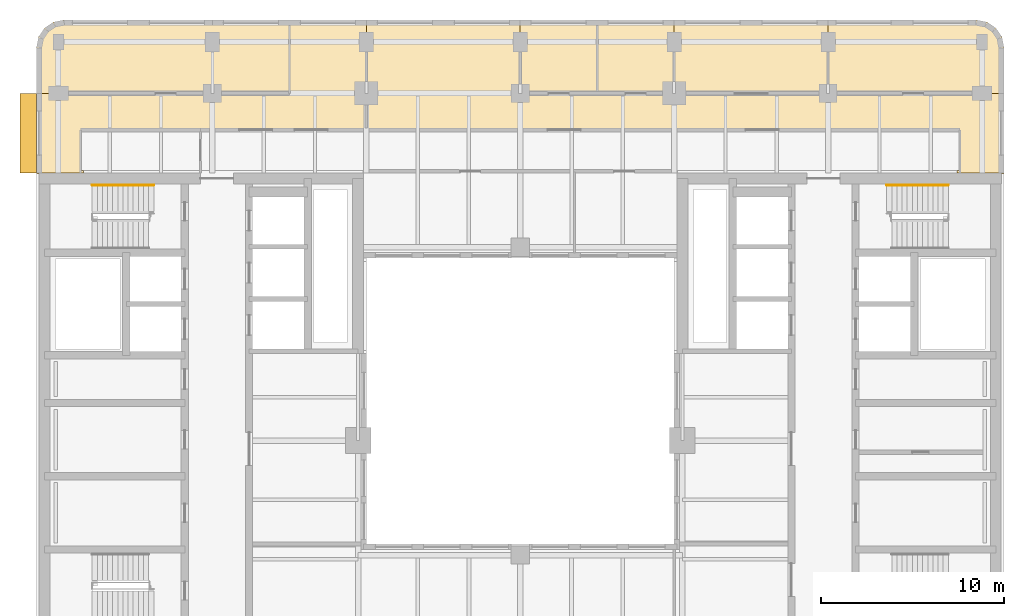
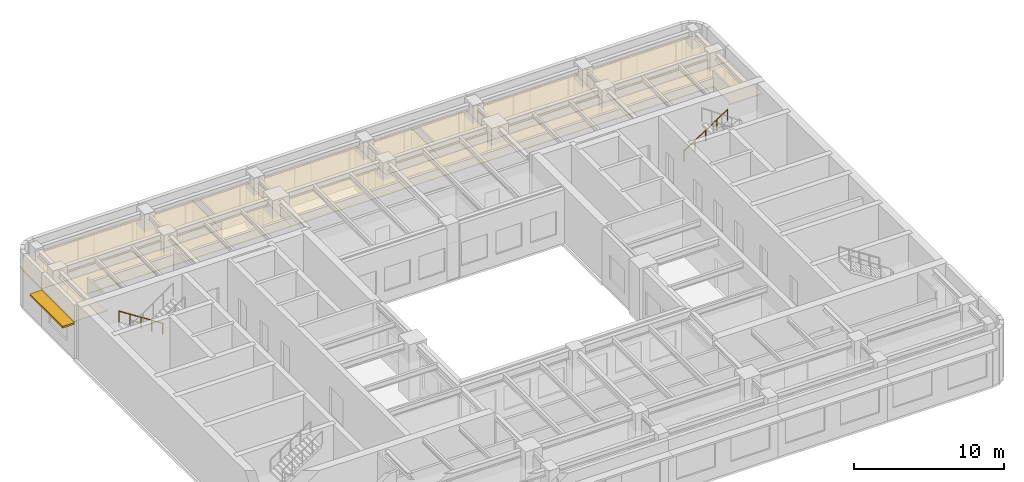
# One storey, part 11 of 11: 7 coverings, 2 railings, 1 shading device.
"""IFC4 building model written with IfcOpenShell, lengths in metres."""

from ifc_helpers import new_model, si_unit, direction, frame, origin, origin_2d, place, context, subcontext, project, spatial, polyline, rectangle, circle, outline, extrude, material, layer, layer_set, type_object, element, save


model = new_model("IFC4")

# Units and contexts
model_context = context("Model", 3, precision=1e-05, world=origin(), true_north=direction((0.0, 1.0)))
body_context = subcontext(model_context, "Body", "Model", "MODEL_VIEW")
ifc_project = project(units=[si_unit("LENGTHUNIT", "METRE"), si_unit("AREAUNIT", "SQUARE_METRE"), si_unit("VOLUMEUNIT", "CUBIC_METRE"), si_unit("PLANEANGLEUNIT", "RADIAN"), si_unit("MASSUNIT", "GRAM", prefix="KILO")], contexts=[model_context])

# Site, building, storey
site_placement = place(None, origin())
site = spatial("IfcSite", under=ifc_project, at=site_placement, CompositionType="ELEMENT")
building_placement = place(site_placement, origin())
building = spatial("IfcBuilding", under=site, at=building_placement, Name="Claustro Exchange Tower", CompositionType="ELEMENT")
storey_placement = place(building_placement, frame((0.0, 0.0, 272.699951171875)))
storey = spatial("IfcBuildingStorey", under=building, at=storey_placement, Name="L62", CompositionType="ELEMENT", Elevation=272.699951171875)

# Coverings
ifc_material_1 = material(Name="Gypsum board ceiling", Category="gypsum board")
ifc_layer_1 = layer(ifc_material_1, 0.02490234375)
ifc_layer_set_1 = layer_set([ifc_layer_1], Name="Gypsum board ceiling")
covering_type_1 = type_object("IfcCoveringType", Name="CL2 plasterboard ceiling", PredefinedType="CEILING", material=ifc_layer_set_1)
covering_1_placement = place(storey_placement, frame((0.0, 0.0, 3.0)))
element("IfcCovering", 1, at=covering_1_placement, inside=storey, type_object=covering_type_1, Name="Ceiling CL2 L62-20", PredefinedType="CEILING", context=body_context, shape_type="SweptSolid", body=[
    extrude(outline(polyline([(29.39990234375, 46.0), (25.199951171875, 46.0), (25.199951171875, 42.0), (29.39990234375, 42.0), (29.39990234375, 46.0)])), origin(), (0.0, 0.0, 1.0), 0.025146484375),
])
covering_2_placement = place(storey_placement, frame((0.0, 0.0, 3.0)))
element("IfcCovering", 2, at=covering_2_placement, inside=storey, type_object=covering_type_1, Name="Ceiling CL2 L62-21", PredefinedType="CEILING", context=body_context, shape_type="SweptSolid", body=[
    extrude(outline(polyline([(33.60009765625, 46.0), (29.39990234375, 46.0), (29.39990234375, 42.0), (33.60009765625, 42.0), (33.60009765625, 46.0)])), origin(), (0.0, 0.0, 1.0), 0.025146484375),
])
covering_3_placement = place(storey_placement, frame((0.0, 0.0, 3.0)))
element("IfcCovering", 3, at=covering_3_placement, inside=storey, type_object=covering_type_1, Name="Ceiling CL2 L62-22", PredefinedType="CEILING", context=body_context, shape_type="SweptSolid", body=[
    extrude(outline(polyline([(42.0, 46.0), (33.60009765625, 46.0), (33.60009765625, 42.0), (42.0, 42.0), (42.0, 46.0)])), origin(), (0.0, 0.0, 1.0), 0.025146484375),
])
covering_4_placement = place(storey_placement, frame((0.0, 0.0, 3.0)))
element("IfcCovering", 4, at=covering_4_placement, inside=storey, type_object=covering_type_1, Name="Ceiling CL2 L62-23", PredefinedType="CEILING", context=body_context, shape_type="SweptSolid", body=[
    extrude(outline(polyline([(50.10009765625, 46.0), (42.0, 46.0), (42.0, 42.0), (51.60009765625, 42.0), (51.60009765625, 44.5), (51.48583984375, 45.073974609375), (51.16064453125, 45.560791015625), (50.674072265625, 45.8857421875), (50.10009765625, 46.0)])), origin(), (0.0, 0.0, 1.0), 0.025146484375),
])
ifc_material_2 = material(Name="Oak slats on acoustic backing", Category="wood")
ifc_layer_2 = layer(ifc_material_2, 0.050048828125)
ifc_layer_set_2 = layer_set([ifc_layer_2], Name="Oak slats on acoustic backing")
covering_type_2 = type_object("IfcCoveringType", Name="CL3 timber slat ceiling", PredefinedType="CEILING", material=ifc_layer_set_2)
covering_5_placement = place(storey_placement, frame((0.0, 0.0, 3.0)))
element("IfcCovering", 5, at=covering_5_placement, inside=storey, type_object=covering_type_2, Name="Ceiling CL3 L62-17", PredefinedType="CEILING", context=body_context, shape_type="SweptSolid", body=[
    extrude(outline(polyline([(-1.050048828125, 37.64990234375), (1.3701171875, 37.64990234375), (1.3701171875, 37.800048828125), (1.199951171875, 37.800048828125), (1.199951171875, 40.0), (16.800048828125, 40.0), (16.800048828125, 46.0), (12.60009765625, 46.0), (12.60009765625, 42.0), (-1.199951171875, 42.0), (-1.199951171875, 37.6298828125), (-1.050048828125, 37.6298828125), (-1.050048828125, 37.64990234375)])), origin(), (0.0, 0.0, 1.0), 0.050048828125),
])
covering_6_placement = place(storey_placement, frame((0.0, 0.0, 3.0)))
element("IfcCovering", 6, at=covering_6_placement, inside=storey, type_object=covering_type_2, Name="Ceiling CL3 L62-18", PredefinedType="CEILING", context=body_context, shape_type="SweptSolid", body=[
    extrude(outline(polyline([(51.449951171875, 37.64990234375), (51.449951171875, 37.6298828125), (51.60009765625, 37.6298828125), (51.60009765625, 42.0), (25.199951171875, 42.0), (25.199951171875, 46.0), (16.800048828125, 46.0), (16.800048828125, 40.0), (49.199951171875, 40.0), (49.199951171875, 37.800048828125), (49.030029296875, 37.800048828125), (49.030029296875, 37.64990234375), (51.449951171875, 37.64990234375)])), origin(), (0.0, 0.0, 1.0), 0.050048828125),
])
covering_7_placement = place(storey_placement, frame((0.0, 0.0, 3.0)))
element("IfcCovering", 7, at=covering_7_placement, inside=storey, type_object=covering_type_2, Name="Ceiling CL3 L62-19", PredefinedType="CEILING", context=body_context, shape_type="SweptSolid", body=[
    extrude(outline(polyline([(-1.199951171875, 44.5), (-1.199951171875, 42.0), (12.60009765625, 42.0), (12.60009765625, 46.0), (0.300048828125, 46.0), (-0.27392578125, 45.8857421875), (-0.7607421875, 45.560791015625), (-1.085693359375, 45.073974609375), (-1.199951171875, 44.5)])), origin(), (0.0, 0.0, 1.0), 0.050048828125),
])

# Railings
ifc_material_3 = material(Name="Stainless steel tube", Category="steel")
railing_type = type_object("IfcRailingType", Name="HR1 900 stair handrail", PredefinedType="HANDRAIL", material=ifc_material_3)
railing_1_placement = place(storey_placement, frame((5.199951171875, 36.989990234375, 0.179931640625)))
element("IfcRailing", 8, at=railing_1_placement, inside=storey, type_object=railing_type, Name="Handrail HR1 stair STWB L62", PredefinedType="HANDRAIL", context=body_context, shape_type="SweptSolid", body=[
    extrude(circle(Radius=0.02392578125, at=origin_2d()), frame((0.0, 0.0, 0.8759765625), z_axis=(-0.841150671818, 0.0, 0.540800838849), x_axis=(0.0, -1.0, 0.0)), (0.0, 0.0, 1.0), 3.994384765625),
    extrude(circle(Radius=0.02099609375, at=origin_2d()), origin(), (0.0, 0.0, 1.0), 0.851806640625),
    extrude(circle(Radius=0.02099609375, at=origin_2d()), frame((-0.83984375, 0.0, 0.5400390625)), (0.0, 0.0, 1.0), 0.851806640625),
    extrude(circle(Radius=0.02099609375, at=origin_2d()), frame((-1.679931640625, 0.0, 1.080078125)), (0.0, 0.0, 1.0), 0.851806640625),
    extrude(circle(Radius=0.02099609375, at=origin_2d()), frame((-2.52001953125, 0.0, 1.6201171875)), (0.0, 0.0, 1.0), 0.851806640625),
    extrude(circle(Radius=0.02099609375, at=origin_2d()), frame((-3.35986328125, 0.0, 2.16015625)), (0.0, 0.0, 1.0), 0.851806640625),
])
railing_2_placement = place(storey_placement, frame((45.199951171875, 36.989990234375, 0.179931640625)))
element("IfcRailing", 9, at=railing_2_placement, inside=storey, type_object=railing_type, Name="Handrail HR1 stair STEB L62", PredefinedType="HANDRAIL", context=body_context, shape_type="SweptSolid", body=[
    extrude(circle(Radius=0.02392578125, at=origin_2d()), frame((0.0, 0.0, 0.8759765625), z_axis=(0.8411685463, 0.0, 0.540773036232), x_axis=(0.0, 1.0, 0.0)), (0.0, 0.0, 1.0), 3.99462890625),
    extrude(circle(Radius=0.02099609375, at=origin_2d()), origin(), (0.0, 0.0, 1.0), 0.851806640625),
    extrude(circle(Radius=0.02099609375, at=origin_2d()), frame((0.840087890625, 0.0, 0.5400390625)), (0.0, 0.0, 1.0), 0.851806640625),
    extrude(circle(Radius=0.02099609375, at=origin_2d()), frame((1.68017578125, 0.0, 1.080078125)), (0.0, 0.0, 1.0), 0.851806640625),
    extrude(circle(Radius=0.02099609375, at=origin_2d()), frame((2.52001953125, 0.0, 1.6201171875)), (0.0, 0.0, 1.0), 0.851806640625),
    extrude(circle(Radius=0.02099609375, at=origin_2d()), frame((3.360107421875, 0.0, 2.16015625)), (0.0, 0.0, 1.0), 0.851806640625),
])

# Shading device
ifc_material_4 = material(Name="Concrete HA-40 (C40/50), precast, white cement, acid-etched", Category="concrete")
ifc_layer_3 = layer(ifc_material_4, 0.14990234375)
ifc_layer_set_3 = layer_set([ifc_layer_3], Name="Concrete HA-40 (C40/50), precast, white cement, acid-etched")
shading_device_type = type_object("IfcShadingDeviceType", Name="SS2 900 precast concrete SUNSHADE", PredefinedType="SHUTTER", material=ifc_layer_set_3)
shading_device_placement = place(storey_placement, frame((-1.64990234375, 39.824951171875, 2.800048828125), z_axis=(0.0, 0.0, 1.0), x_axis=(0.0, 1.0, 0.0)))
element("IfcShadingDevice", 10, at=shading_device_placement, inside=storey, type_object=shading_device_type, Name="Precast SUNSHADE SS2 L62", PredefinedType="SHUTTER", context=body_context, shape_type="SweptSolid", body=[
    extrude(rectangle(XDim=4.35009765625, YDim=0.89990234375, at=origin_2d()), origin(), (0.0, 0.0, 1.0), 0.14990234375),
])

save(model, "model.ifc")
